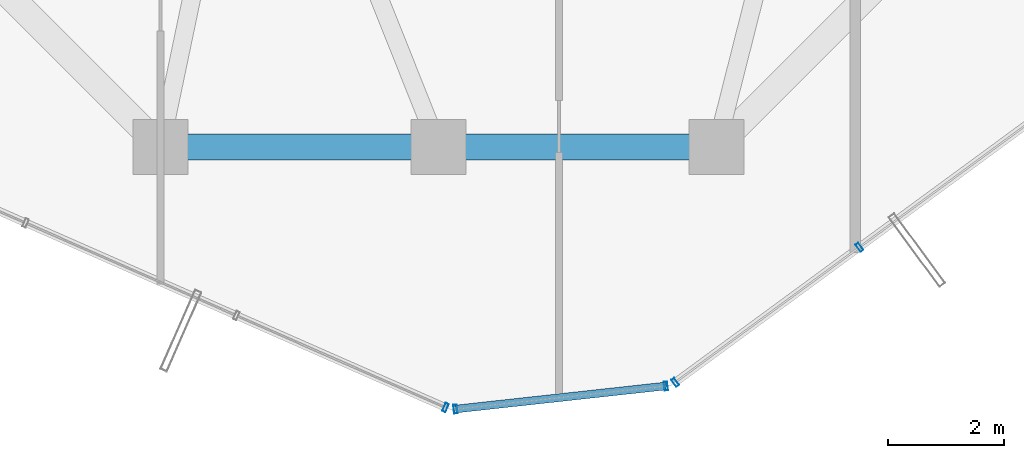
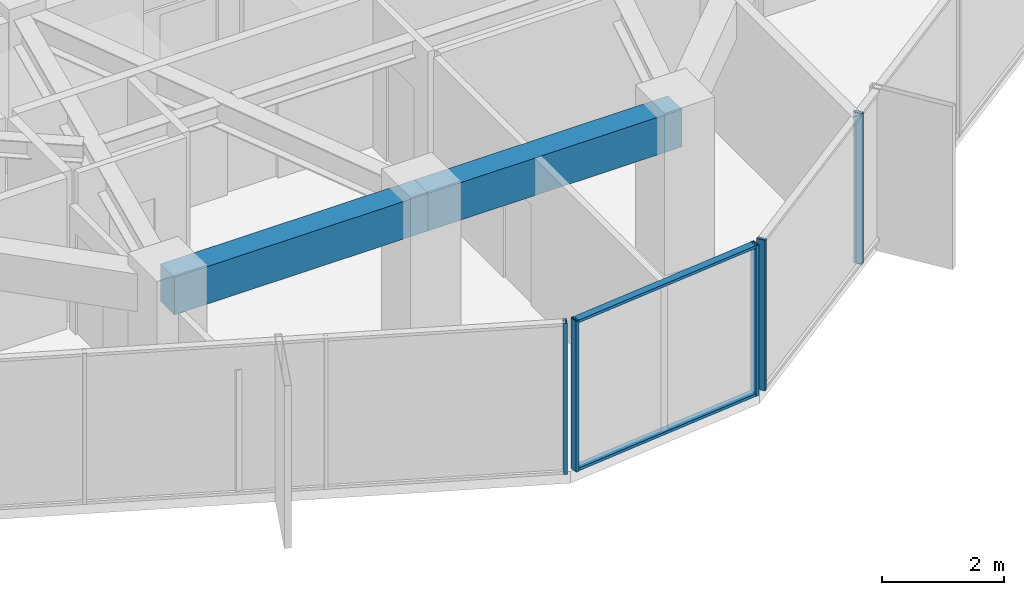
# One storey, part 7 of 32: 7 members, 2 beams, 3 elements without a shape of their own.
"""IFC4 building model written with IfcOpenShell, lengths in metres."""

from ifc_helpers import new_model, si_unit, direction, frame, origin, origin_2d, place, context, subcontext, project, spatial, rectangle, hollow_rectangle, extrude, source, transform, mapped, material, layer, layer_set, material_profile, profile_set, type_object, element, aggregate, save


model = new_model("IFC4")

# Units and contexts
model_context = context("Model", 3, precision=1e-05, world=origin(), true_north=direction((0.0, 1.0)))
body_context = subcontext(model_context, "Body", "Model", "MODEL_VIEW")
ifc_project = project(units=[si_unit("LENGTHUNIT", "METRE"), si_unit("AREAUNIT", "SQUARE_METRE"), si_unit("VOLUMEUNIT", "CUBIC_METRE"), si_unit("PLANEANGLEUNIT", "RADIAN"), si_unit("MASSUNIT", "GRAM", prefix="KILO")], contexts=[model_context])

# Site, building, storey
site_placement = place(None, origin())
site = spatial("IfcSite", under=ifc_project, at=site_placement, CompositionType="ELEMENT")
building_placement = place(site_placement, origin())
building = spatial("IfcBuilding", under=site, at=building_placement, Name="Veraguas Prism Commons", CompositionType="ELEMENT")
storey_placement = place(building_placement, frame((0.0, 0.0, 185.35009765625)))
storey = spatial("IfcBuildingStorey", under=building, at=storey_placement, Name="L52", CompositionType="ELEMENT", Elevation=185.35009765625)

# Beams
ifc_material_1 = material(Name="Concrete C50/60", Category="concrete")
ifc_material_profile_1 = material_profile(ifc_material_1, rectangle(XDim=0.449951171875, YDim=0.75, at=origin_2d()), Name="RC450X750")
ifc_profile_set_1 = profile_set([ifc_material_profile_1], Name="Concrete C50/60")
beam_type = type_object("IfcBeamType", Name="Perimeter Spandrel Upper RC 450x750", PredefinedType="SPANDREL", material=ifc_profile_set_1)
for number, where, z_axis, x_axis, name in (
    (1, (19.199951171875, 9.10009765625, 2.639892578125), (1.0, 0.0, 0.0), (0.0, 1.0, 0.0), "Perimeter Spandrel Beam L52-SP10"),
    (2, (24.0, 9.10009765625, 2.639892578125), (1.0, 0.0, 0.0), (0.0, 1.0, 0.0), "Perimeter Spandrel Beam L52-SP11"),
):
    element("IfcBeam", number, at=place(storey_placement, frame(where, z_axis=z_axis, x_axis=x_axis)), inside=storey, type_object=beam_type, Name=name, PredefinedType="SPANDREL", context=body_context, shape_type="SweptSolid", body=[
        extrude(rectangle(XDim=0.449951171875, YDim=0.75, at=origin_2d()), origin(), (0.0, 0.0, 1.0), 4.800048828125),
    ])

# Curtain wall, member
ifc_material_2 = material(Name="Anodised aluminium EN AW-6063 T6", Category="aluminium")
ifc_layer = layer(ifc_material_2, 0.14990234375, Name="Unitised Flush Curtain Wall Zone 3", Category="aluminium")
ifc_layer_set = layer_set([ifc_layer], Name="Anodised aluminium EN AW-6063 T6")
curtain_wall_type = type_object("IfcCurtainWallType", Name="Unitised Flush Curtain Wall Zone 3", PredefinedType="NOTDEFINED", material=ifc_layer_set)
curtain_wall_1_placement = place(storey_placement, origin())
curtain_wall_1 = element("IfcCurtainWall", 3, at=curtain_wall_1_placement, inside=storey, type_object=curtain_wall_type, Name="Tower Facade Curtain Wall L52-F4", PredefinedType="NOTDEFINED")
ifc_material_profile_2 = material_profile(ifc_material_2, hollow_rectangle(XDim=0.06005859375, YDim=0.14990234375, WallThickness=0.0029296875, at=origin_2d()), Name="AL60X150X3")
ifc_profile_set_2 = profile_set([ifc_material_profile_2], Name="Anodised aluminium EN AW-6063 T6")
member_type_1 = type_object("IfcMemberType", Name="Curtain Wall Mullion Upper AL 60x150x3", PredefinedType="MULLION", material=ifc_profile_set_2)
shared_shape_1 = source(origin(), body_context, "Body", "SweptSolid", [
    extrude(hollow_rectangle(XDim=0.06005859375, YDim=0.14990234375, WallThickness=0.0029296875, at=origin_2d()), origin(), (0.0, 0.0, 1.0), 3.014892578125),
])
member_1_placement = place(storey_placement, frame((24.12109375, 4.599365234375, 0.0), z_axis=(0.0, 0.0, 1.0), x_axis=(0.915384568301, -0.402580541155, 0.0)))
member_1 = element("IfcMember", 4, at=member_1_placement, type_object=member_type_1, Name="CW-Z3 Mullion 5", PredefinedType="MULLION", context=body_context, shape_type="MappedRepresentation", body=[
    mapped(shared_shape_1, transform((0.0, 0.0, 0.0), scale=1.0)),
])
aggregate(curtain_wall_1, [member_1])

# Curtain wall, members
curtain_wall_2_placement = place(storey_placement, origin())
curtain_wall_2 = element("IfcCurtainWall", 5, at=curtain_wall_2_placement, inside=storey, type_object=curtain_wall_type, Name="Tower Facade Curtain Wall L52-F5", PredefinedType="NOTDEFINED")
member_2_placement = place(storey_placement, frame((28.08740234375, 5.034423828125, 0.0), z_axis=(0.0, 0.0, 1.0), x_axis=(0.806341388983, 0.591450390493, 0.0)))
member_2 = element("IfcMember", 6, at=member_2_placement, type_object=member_type_1, Name="CW-Z3 Mullion 1", PredefinedType="MULLION", context=body_context, shape_type="MappedRepresentation", body=[
    mapped(shared_shape_1, transform((0.0, 0.0, 0.0), scale=1.0)),
])
member_3_placement = place(storey_placement, frame((31.26904296875, 7.3681640625, 0.0), z_axis=(0.0, 0.0, 1.0), x_axis=(0.806341388983, 0.591450390493, 0.0)))
member_3 = element("IfcMember", 7, at=member_3_placement, type_object=member_type_1, Name="CW-Z3 Mullion 2", PredefinedType="MULLION", context=body_context, shape_type="MappedRepresentation", body=[
    mapped(shared_shape_1, transform((0.0, 0.0, 0.0), scale=1.0)),
])
aggregate(curtain_wall_2, [member_2, member_3])

curtain_wall_3_placement = place(storey_placement, origin())
curtain_wall_3 = element("IfcCurtainWall", 8, at=curtain_wall_3_placement, inside=storey, type_object=curtain_wall_type, Name="Chamfer Curtain Wall L52-C5", PredefinedType="NOTDEFINED")
member_4_placement = place(storey_placement, frame((24.292724609375, 4.572998046875, 0.0), z_axis=(0.0, 0.0, 1.0), x_axis=(0.994035038274, 0.109061187799, 0.0)))
member_4 = element("IfcMember", 9, at=member_4_placement, type_object=member_type_1, Name="CW-Z3 Mullion 1", PredefinedType="MULLION", context=body_context, shape_type="MappedRepresentation", body=[
    mapped(shared_shape_1, transform((0.0, 0.0, 0.0), scale=1.0)),
])
member_5_placement = place(storey_placement, frame((27.925537109375, 4.971435546875, 0.0), z_axis=(0.0, 0.0, 1.0), x_axis=(0.994035038274, 0.109061187799, 0.0)))
member_5 = element("IfcMember", 10, at=member_5_placement, type_object=member_type_1, Name="CW-Z3 Mullion 2", PredefinedType="MULLION", context=body_context, shape_type="MappedRepresentation", body=[
    mapped(shared_shape_1, transform((0.0, 0.0, 0.0), scale=1.0)),
])
ifc_material_profile_3 = material_profile(ifc_material_2, hollow_rectangle(XDim=0.054931640625, YDim=0.135009765625, WallThickness=0.0029296875, at=origin_2d()), Name="AL55X135X3")
ifc_profile_set_3 = profile_set([ifc_material_profile_3], Name="Anodised aluminium EN AW-6063 T6")
member_type_2 = type_object("IfcMemberType", Name="Curtain Wall Transom Standard AL 55x135x3", PredefinedType="USERDEFINED", material=ifc_profile_set_3)
shared_shape_2 = source(origin(), body_context, "Body", "SweptSolid", [
    extrude(hollow_rectangle(XDim=0.054931640625, YDim=0.135009765625, WallThickness=0.0029296875, at=origin_2d()), origin(), (0.0, 0.0, 1.0), 3.654541015625),
])
member_6_placement = place(storey_placement, frame((24.292724609375, 4.572998046875, 0.02734375), z_axis=(0.994039156108, 0.10902364938, 0.0), x_axis=(0.0, 0.0, 1.0)))
member_6 = element("IfcMember", 11, at=member_6_placement, type_object=member_type_2, Name="CW-Z3 Transom 1", ObjectType="TRANSOM", PredefinedType="USERDEFINED", context=body_context, shape_type="MappedRepresentation", body=[
    mapped(shared_shape_2, transform((0.0, 0.0, 0.0), scale=1.0)),
])
member_7_placement = place(storey_placement, frame((24.292724609375, 4.572998046875, 2.9873046875), z_axis=(0.994039156108, 0.10902364938, 0.0), x_axis=(0.0, 0.0, 1.0)))
member_7 = element("IfcMember", 12, at=member_7_placement, type_object=member_type_2, Name="CW-Z3 Transom 2", ObjectType="TRANSOM", PredefinedType="USERDEFINED", context=body_context, shape_type="MappedRepresentation", body=[
    mapped(shared_shape_2, transform((0.0, 0.0, 0.0), scale=1.0)),
])
aggregate(curtain_wall_3, [member_4, member_5, member_6, member_7])

save(model, "model.ifc")
